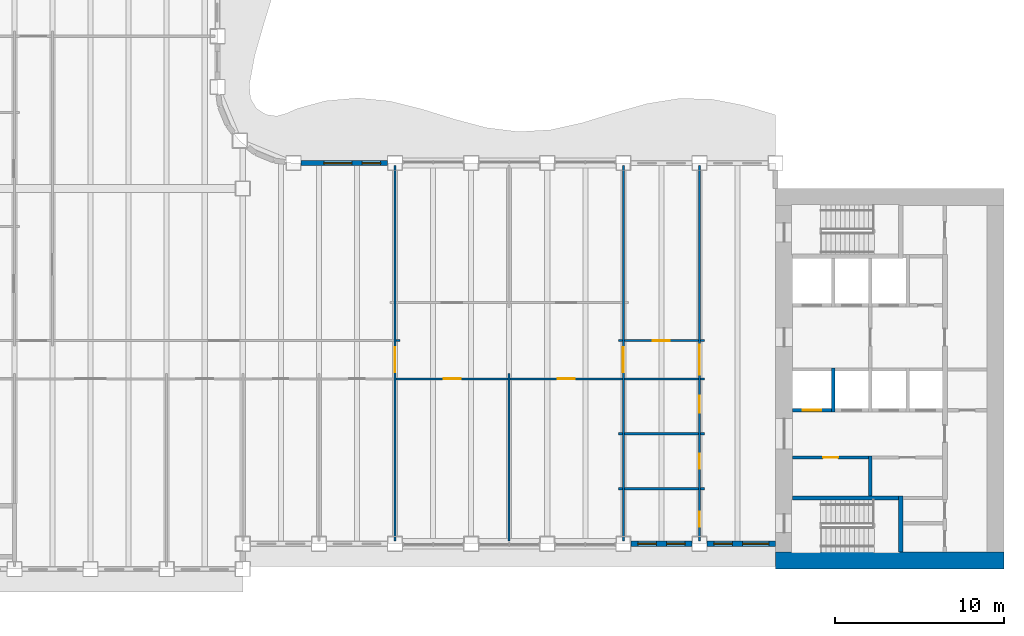
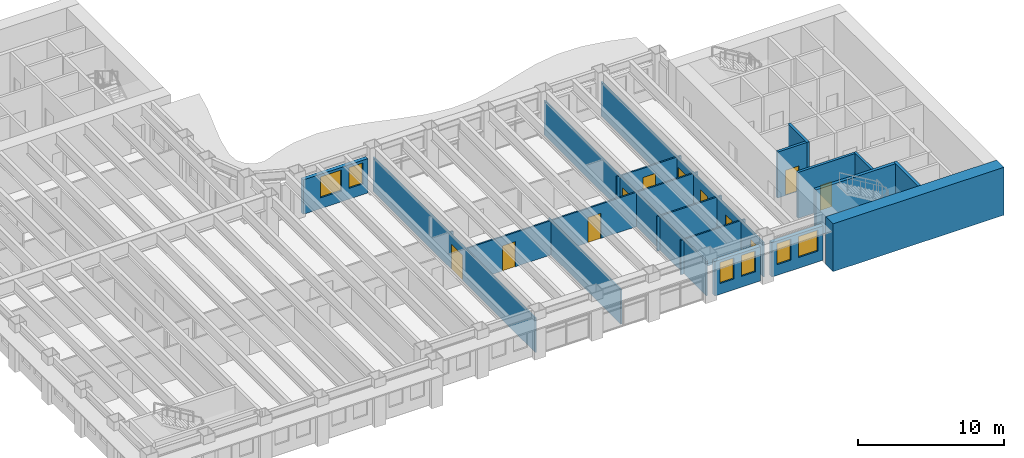
# One storey, part 7 of 17: 28 walls, 11 doors, 6 windows, 17 openings.
"""IFC4 building model written with IfcOpenShell, lengths in metres."""

from ifc_helpers import new_model, si_unit, direction, frame, frame_2d, origin, place, context, subcontext, project, spatial, rectangle, extrude, material, layer, layer_set, type_object, element, fill, save


model = new_model("IFC4")

# Units and contexts
model_context = context("Model", 3, precision=1e-05, world=origin(), true_north=direction((0.0, 1.0)))
body_context = subcontext(model_context, "Body", "Model", "MODEL_VIEW")
ifc_project = project(units=[si_unit("LENGTHUNIT", "METRE"), si_unit("AREAUNIT", "SQUARE_METRE"), si_unit("VOLUMEUNIT", "CUBIC_METRE"), si_unit("PLANEANGLEUNIT", "RADIAN"), si_unit("MASSUNIT", "GRAM", prefix="KILO")], contexts=[model_context])

# Site, building, storey
site_placement = place(None, origin())
site = spatial("IfcSite", under=ifc_project, at=site_placement, CompositionType="ELEMENT")
building_placement = place(site_placement, origin())
building = spatial("IfcBuilding", under=site, at=building_placement, Name="Sennacour Bend Tower", CompositionType="ELEMENT")
storey_placement = place(building_placement, frame((0.0, 0.0, 155.0)))
storey = spatial("IfcBuildingStorey", under=building, at=storey_placement, Name="L35", CompositionType="ELEMENT", Elevation=155.0)

# Walls
ifc_material_1 = material(Name="Concrete C60/75", Category="concrete")
ifc_layer_1 = layer(ifc_material_1, 1.0, Name="Concrete C60/75", Category="concrete")
ifc_layer_set_1 = layer_set([ifc_layer_1], Name="Concrete C60/75")
wall_type_1 = type_object("IfcWallType", Name="Core wall 1000 C60/75", PredefinedType="SHEAR", material=ifc_layer_set_1)
wall_1_placement = place(storey_placement, frame((67.5, 0.5, -0.14990234375), z_axis=(0.0, 0.0, 1.0), x_axis=(-1.0, 0.0, 0.0)))
element("IfcWall", 1, at=wall_1_placement, inside=storey, type_object=wall_type_1, Name="Core A wall L35 S", PredefinedType="SHEAR", context=body_context, shape_type="SweptSolid", body=[
    extrude(rectangle(XDim=13.5, YDim=1.0, at=frame_2d((6.75, 0.0))), origin(), (0.0, 0.0, 1.0), 4.0),
])
ifc_material_2 = material(Name="Plasterboard partition on steel studs", Category="steel")
ifc_layer_2 = layer(ifc_material_2, 0.1201171875, Name="Plasterboard partition on steel studs", Category="steel")
ifc_layer_set_2 = layer_set([ifc_layer_2], Name="Plasterboard partition on steel studs")
wall_type_2 = type_object("IfcWallType", Name="Partition 120", PredefinedType="PARTITIONING", material=ifc_layer_set_2)
wall_2_placement = place(storey_placement, frame((38.25, 1.64990234375, 0.0), z_axis=(0.0, 0.0, 1.0), x_axis=(0.0, 1.0, 0.0)))
element("IfcWall", 2, at=wall_2_placement, inside=storey, type_object=wall_type_2, Name="P-L35-W029a", PredefinedType="PARTITIONING", context=body_context, shape_type="SweptSolid", body=[
    extrude(rectangle(XDim=9.900146484375, YDim=0.1201171875, at=frame_2d((4.9501953125, 0.0))), origin(), (0.0, 0.0, 1.0), 2.8701171875),
])
wall_3_placement = place(storey_placement, frame((44.699951171875, 4.75, 0.0), z_axis=(0.0, 0.0, 1.0), x_axis=(1.0, 0.0, 0.0)))
element("IfcWall", 3, at=wall_3_placement, inside=storey, type_object=wall_type_2, Name="P-L35-W055aa", PredefinedType="PARTITIONING", context=body_context, shape_type="SweptSolid", body=[
    extrude(rectangle(XDim=0.239990234375, YDim=0.1201171875, at=frame_2d((0.1201171875, 0.0))), origin(), (0.0, 0.0, 1.0), 2.8701171875),
])
wall_4_placement = place(storey_placement, frame((45.06005859375, 4.75, 0.0), z_axis=(0.0, 0.0, 1.0), x_axis=(1.0, 0.0, 0.0)))
element("IfcWall", 4, at=wall_4_placement, inside=storey, type_object=wall_type_2, Name="P-L35-W055ab", PredefinedType="PARTITIONING", context=body_context, shape_type="SweptSolid", body=[
    extrude(rectangle(XDim=4.3798828125, YDim=0.1201171875, at=frame_2d((2.18994140625, 0.0))), origin(), (0.0, 0.0, 1.0), 2.8701171875),
])
for number, where, z_axis, x_axis, name in (
    (5, (49.56005859375, 4.75, 0.0), (0.0, 0.0, 1.0), (1.0, 0.0, 0.0), "P-L35-W055ac"),
    (6, (44.699951171875, 8.0, 0.0), (0.0, 0.0, 1.0), (1.0, 0.0, 0.0), "P-L35-W057aa"),
):
    element("IfcWall", number, at=place(storey_placement, frame(where, z_axis=z_axis, x_axis=x_axis)), inside=storey, type_object=wall_type_2, Name=name, PredefinedType="PARTITIONING", context=body_context, shape_type="SweptSolid", body=[
        extrude(rectangle(XDim=0.239990234375, YDim=0.1201171875, at=frame_2d((0.1201171875, 0.0))), origin(), (0.0, 0.0, 1.0), 2.8701171875),
    ])
wall_5_placement = place(storey_placement, frame((45.06005859375, 8.0, 0.0), z_axis=(0.0, 0.0, 1.0), x_axis=(1.0, 0.0, 0.0)))
element("IfcWall", 7, at=wall_5_placement, inside=storey, type_object=wall_type_2, Name="P-L35-W057ab", PredefinedType="PARTITIONING", context=body_context, shape_type="SweptSolid", body=[
    extrude(rectangle(XDim=4.3798828125, YDim=0.1201171875, at=frame_2d((2.18994140625, 0.0))), origin(), (0.0, 0.0, 1.0), 2.8701171875),
])
wall_6_placement = place(storey_placement, frame((49.56005859375, 8.0, 0.0), z_axis=(0.0, 0.0, 1.0), x_axis=(1.0, 0.0, 0.0)))
element("IfcWall", 8, at=wall_6_placement, inside=storey, type_object=wall_type_2, Name="P-L35-W057ac", PredefinedType="PARTITIONING", context=body_context, shape_type="SweptSolid", body=[
    extrude(rectangle(XDim=0.239990234375, YDim=0.1201171875, at=frame_2d((0.1201171875, 0.0))), origin(), (0.0, 0.0, 1.0), 2.8701171875),
])

# Wall, opening, door
wall_7_placement = place(storey_placement, frame((31.56005859375, 11.25, 0.0), z_axis=(0.0, 0.0, 1.0), x_axis=(1.0, 0.0, 0.0)))
wall_7 = element("IfcWall", 9, at=wall_7_placement, inside=storey, type_object=wall_type_2, Name="P-L35-W060af", PredefinedType="PARTITIONING", context=body_context, shape_type="SweptSolid", body=[
    extrude(rectangle(XDim=6.6298828125, YDim=0.1201171875, at=frame_2d((3.31494140625, 0.0))), origin(), (0.0, 0.0, 1.0), 2.8701171875),
])
opening_1_placement = place(wall_7_placement, frame((2.81494140625, 0.0, 0.0)))
opening_1 = element("IfcOpeningElement", 10, at=opening_1_placement, cuts=wall_7, Name="Opening MD2", PredefinedType="OPENING", context=body_context, shape_type="SweptSolid", body=[
    extrude(rectangle(XDim=1.0, YDim=2.10009765625, at=frame_2d((0.5, 1.050048828125))), frame((0.0, 0.070068359375, 0.0), z_axis=(0.0, -1.0, 0.0), x_axis=(1.0, 0.0, 0.0)), (0.0, 0.0, 1.0), 0.14013671875),
])
ifc_material_3 = material(Name="Timber", Category="wood")
door_type_1 = type_object("IfcDoorType", Name="DR-MEETING-1000", OperationType="NOTDEFINED", PredefinedType="DOOR", material=ifc_material_3)
door_1_placement = place(opening_1_placement, origin())
door_1 = element("IfcDoor", 11, at=door_1_placement, inside=storey, type_object=door_type_1, Name="Door", OperationType="SINGLE_SWING_LEFT", OverallHeight=2.10009765625, OverallWidth=1.0, PredefinedType="DOOR", context=body_context, shape_type="SweptSolid", body=[
    extrude(rectangle(XDim=1.0, YDim=2.10009765625, at=frame_2d((0.5, 1.050048828125))), frame((0.0, 0.02490234375, 0.0), z_axis=(0.0, -1.0, 0.0), x_axis=(1.0, 0.0, 0.0)), (0.0, 0.0, 1.0), 0.050048828125),
])
fill(opening_1, door_1)

wall_8_placement = place(storey_placement, frame((38.31005859375, 11.25, 0.0), z_axis=(0.0, 0.0, 1.0), x_axis=(1.0, 0.0, 0.0)))
wall_8 = element("IfcWall", 12, at=wall_8_placement, inside=storey, type_object=wall_type_2, Name="P-L35-W060ag", PredefinedType="PARTITIONING", context=body_context, shape_type="SweptSolid", body=[
    extrude(rectangle(XDim=6.6298828125, YDim=0.1201171875, at=frame_2d((3.31494140625, 0.0))), origin(), (0.0, 0.0, 1.0), 2.8701171875),
])
opening_2_placement = place(wall_8_placement, frame((2.81494140625, 0.0, 0.0)))
opening_2 = element("IfcOpeningElement", 13, at=opening_2_placement, cuts=wall_8, Name="Opening MD2", PredefinedType="OPENING", context=body_context, shape_type="SweptSolid", body=[
    extrude(rectangle(XDim=1.0, YDim=2.10009765625, at=frame_2d((0.5, 1.050048828125))), frame((0.0, 0.070068359375, 0.0), z_axis=(0.0, -1.0, 0.0), x_axis=(1.0, 0.0, 0.0)), (0.0, 0.0, 1.0), 0.14013671875),
])
door_2_placement = place(opening_2_placement, origin())
door_2 = element("IfcDoor", 14, at=door_2_placement, inside=storey, type_object=door_type_1, Name="Door", OperationType="SINGLE_SWING_LEFT", OverallHeight=2.10009765625, OverallWidth=1.0, PredefinedType="DOOR", context=body_context, shape_type="SweptSolid", body=[
    extrude(rectangle(XDim=1.0, YDim=2.10009765625, at=frame_2d((0.5, 1.050048828125))), frame((0.0, 0.02490234375, 0.0), z_axis=(0.0, -1.0, 0.0), x_axis=(1.0, 0.0, 0.0)), (0.0, 0.0, 1.0), 0.050048828125),
])
fill(opening_2, door_2)

# Walls
wall_9_placement = place(storey_placement, frame((45.06005859375, 11.25, 0.0), z_axis=(0.0, 0.0, 1.0), x_axis=(1.0, 0.0, 0.0)))
element("IfcWall", 15, at=wall_9_placement, inside=storey, type_object=wall_type_2, Name="P-L35-W060ah", PredefinedType="PARTITIONING", context=body_context, shape_type="SweptSolid", body=[
    extrude(rectangle(XDim=4.3798828125, YDim=0.1201171875, at=frame_2d((2.18994140625, 0.0))), origin(), (0.0, 0.0, 1.0), 2.8701171875),
])
for number, where, z_axis, x_axis, name in (
    (16, (49.56005859375, 11.25, 0.0), (0.0, 0.0, 1.0), (1.0, 0.0, 0.0), "P-L35-W060ai"),
    (17, (31.56005859375, 13.5, 0.0), (0.0, 0.0, 1.0), (1.0, 0.0, 0.0), "P-L35-W063ad"),
    (18, (44.699951171875, 13.5, 0.0), (0.0, 0.0, 1.0), (1.0, 0.0, 0.0), "P-L35-W064aa"),
):
    element("IfcWall", number, at=place(storey_placement, frame(where, z_axis=z_axis, x_axis=x_axis)), inside=storey, type_object=wall_type_2, Name=name, PredefinedType="PARTITIONING", context=body_context, shape_type="SweptSolid", body=[
        extrude(rectangle(XDim=0.239990234375, YDim=0.1201171875, at=frame_2d((0.1201171875, 0.0))), origin(), (0.0, 0.0, 1.0), 2.8701171875),
    ])

# Wall, opening, door
wall_10_placement = place(storey_placement, frame((45.06005859375, 13.5, 0.0), z_axis=(0.0, 0.0, 1.0), x_axis=(1.0, 0.0, 0.0)))
wall_10 = element("IfcWall", 19, at=wall_10_placement, inside=storey, type_object=wall_type_2, Name="P-L35-W064ab", PredefinedType="PARTITIONING", context=body_context, shape_type="SweptSolid", body=[
    extrude(rectangle(XDim=4.3798828125, YDim=0.1201171875, at=frame_2d((2.18994140625, 0.0))), origin(), (0.0, 0.0, 1.0), 2.8701171875),
])
opening_3_placement = place(wall_10_placement, frame((1.68994140625, 0.0, 0.0)))
opening_3 = element("IfcOpeningElement", 20, at=opening_3_placement, cuts=wall_10, Name="Opening OD2", PredefinedType="OPENING", context=body_context, shape_type="SweptSolid", body=[
    extrude(rectangle(XDim=1.0, YDim=2.10009765625, at=frame_2d((0.5, 1.050048828125))), frame((0.0, 0.070068359375, 0.0), z_axis=(0.0, -1.0, 0.0), x_axis=(1.0, 0.0, 0.0)), (0.0, 0.0, 1.0), 0.14013671875),
])
door_type_2 = type_object("IfcDoorType", Name="DR-OFFICE-1000", OperationType="NOTDEFINED", PredefinedType="DOOR", material=ifc_material_3)
door_3_placement = place(opening_3_placement, origin())
door_3 = element("IfcDoor", 21, at=door_3_placement, inside=storey, type_object=door_type_2, Name="Door", OperationType="SINGLE_SWING_LEFT", OverallHeight=2.10009765625, OverallWidth=1.0, PredefinedType="DOOR", context=body_context, shape_type="SweptSolid", body=[
    extrude(rectangle(XDim=1.0, YDim=2.10009765625, at=frame_2d((0.5, 1.050048828125))), frame((0.0, 0.02490234375, 0.0), z_axis=(0.0, -1.0, 0.0), x_axis=(1.0, 0.0, 0.0)), (0.0, 0.0, 1.0), 0.050048828125),
])
fill(opening_3, door_3)

# Wall
wall_11_placement = place(storey_placement, frame((49.56005859375, 13.5, 0.0), z_axis=(0.0, 0.0, 1.0), x_axis=(1.0, 0.0, 0.0)))
element("IfcWall", 22, at=wall_11_placement, inside=storey, type_object=wall_type_2, Name="P-L35-W064ac", PredefinedType="PARTITIONING", context=body_context, shape_type="SweptSolid", body=[
    extrude(rectangle(XDim=0.239990234375, YDim=0.1201171875, at=frame_2d((0.1201171875, 0.0))), origin(), (0.0, 0.0, 1.0), 2.8701171875),
])

# Wall, opening, door
ifc_layer_3 = layer(ifc_material_2, 0.1201171875, Name="Plasterboard partition on steel studs", Category="steel")
ifc_layer_set_3 = layer_set([ifc_layer_3], Name="Plasterboard partition on steel studs")
wall_type_3 = type_object("IfcWallType", Name="Partition 120 EI 30", PredefinedType="PARTITIONING", material=ifc_layer_set_3)
wall_12_placement = place(storey_placement, frame((31.5, 1.64990234375, 0.0), z_axis=(0.0, 0.0, 1.0), x_axis=(0.0, 1.0, 0.0)))
wall_12 = element("IfcWall", 23, at=wall_12_placement, inside=storey, type_object=wall_type_3, Name="P-L35-W028a", PredefinedType="PARTITIONING", context=body_context, shape_type="SweptSolid", body=[
    extrude(rectangle(XDim=22.2001953125, YDim=0.1201171875, at=frame_2d((11.10009765625, 0.0))), origin(), (0.0, 0.0, 1.0), 2.8701171875),
])
opening_4_placement = place(wall_12_placement, frame((9.97509765625, 0.0, 0.0)))
opening_4 = element("IfcOpeningElement", 24, at=opening_4_placement, cuts=wall_12, Name="Opening KD", PredefinedType="OPENING", context=body_context, shape_type="SweptSolid", body=[
    extrude(rectangle(XDim=1.5, YDim=2.10009765625, at=frame_2d((0.75, 1.050048828125))), frame((0.0, 0.070068359375, 0.0), z_axis=(0.0, -1.0, 0.0), x_axis=(1.0, 0.0, 0.0)), (0.0, 0.0, 1.0), 0.14013671875),
])
ifc_material_4 = material(Name="Painted steel", Category="steel")
door_type_3 = type_object("IfcDoorType", Name="DR-CORRIDOR-1500", OperationType="NOTDEFINED", PredefinedType="DOOR", material=ifc_material_4)
door_4_placement = place(opening_4_placement, origin())
door_4 = element("IfcDoor", 25, at=door_4_placement, inside=storey, type_object=door_type_3, Name="Door", OperationType="SINGLE_SWING_LEFT", OverallHeight=2.10009765625, OverallWidth=1.5, PredefinedType="DOOR", context=body_context, shape_type="SweptSolid", body=[
    extrude(rectangle(XDim=1.5, YDim=2.10009765625, at=frame_2d((0.75, 1.050048828125))), frame((0.0, 0.02490234375, 0.0), z_axis=(0.0, -1.0, 0.0), x_axis=(1.0, 0.0, 0.0)), (0.0, 0.0, 1.0), 0.050048828125),
])
fill(opening_4, door_4)

wall_13_placement = place(storey_placement, frame((45.0, 1.64990234375, 0.0), z_axis=(0.0, 0.0, 1.0), x_axis=(0.0, 1.0, 0.0)))
wall_13 = element("IfcWall", 26, at=wall_13_placement, inside=storey, type_object=wall_type_3, Name="P-L35-W031a", PredefinedType="PARTITIONING", context=body_context, shape_type="SweptSolid", body=[
    extrude(rectangle(XDim=22.2001953125, YDim=0.1201171875, at=frame_2d((11.10009765625, 0.0))), origin(), (0.0, 0.0, 1.0), 2.8701171875),
])
opening_5_placement = place(wall_13_placement, frame((9.97509765625, 0.0, 0.0)))
opening_5 = element("IfcOpeningElement", 27, at=opening_5_placement, cuts=wall_13, Name="Opening KD", PredefinedType="OPENING", context=body_context, shape_type="SweptSolid", body=[
    extrude(rectangle(XDim=1.5, YDim=2.10009765625, at=frame_2d((0.75, 1.050048828125))), frame((0.0, 0.070068359375, 0.0), z_axis=(0.0, -1.0, 0.0), x_axis=(1.0, 0.0, 0.0)), (0.0, 0.0, 1.0), 0.14013671875),
])
door_5_placement = place(opening_5_placement, origin())
door_5 = element("IfcDoor", 28, at=door_5_placement, inside=storey, type_object=door_type_3, Name="Door", OperationType="SINGLE_SWING_LEFT", OverallHeight=2.10009765625, OverallWidth=1.5, PredefinedType="DOOR", context=body_context, shape_type="SweptSolid", body=[
    extrude(rectangle(XDim=1.5, YDim=2.10009765625, at=frame_2d((0.75, 1.050048828125))), frame((0.0, 0.02490234375, 0.0), z_axis=(0.0, -1.0, 0.0), x_axis=(1.0, 0.0, 0.0)), (0.0, 0.0, 1.0), 0.050048828125),
])
fill(opening_5, door_5)

# Wall, openings, doors
wall_14_placement = place(storey_placement, frame((49.5, 1.64990234375, 0.0), z_axis=(0.0, 0.0, 1.0), x_axis=(0.0, 1.0, 0.0)))
wall_14 = element("IfcWall", 29, at=wall_14_placement, inside=storey, type_object=wall_type_3, Name="P-L35-W032a", PredefinedType="PARTITIONING", context=body_context, shape_type="SweptSolid", body=[
    extrude(rectangle(XDim=22.2001953125, YDim=0.1201171875, at=frame_2d((11.10009765625, 0.0))), origin(), (0.0, 0.0, 1.0), 2.8701171875),
])
opening_6_placement = place(wall_14_placement, frame((9.8251953125, 0.0, 0.0)))
opening_6 = element("IfcOpeningElement", 30, at=opening_6_placement, cuts=wall_14, Name="Opening KD3", PredefinedType="OPENING", context=body_context, shape_type="SweptSolid", body=[
    extrude(rectangle(XDim=1.800048828125, YDim=2.10009765625, at=frame_2d((0.89990234375, 1.050048828125))), frame((0.0, 0.070068359375, 0.0), z_axis=(0.0, -1.0, 0.0), x_axis=(1.0, 0.0, 0.0)), (0.0, 0.0, 1.0), 0.14013671875),
])
opening_7_placement = place(wall_14_placement, frame((0.85009765625, 0.0, 0.0)))
opening_7 = element("IfcOpeningElement", 31, at=opening_7_placement, cuts=wall_14, Name="Opening WD", PredefinedType="OPENING", context=body_context, shape_type="SweptSolid", body=[
    extrude(rectangle(XDim=0.89990234375, YDim=2.10009765625, at=frame_2d((0.449951171875, 1.050048828125))), frame((0.0, 0.070068359375, 0.0), z_axis=(0.0, -1.0, 0.0), x_axis=(1.0, 0.0, 0.0)), (0.0, 0.0, 1.0), 0.14013671875),
])
opening_8_placement = place(wall_14_placement, frame((4.275146484375, 0.0, 0.0)))
opening_8 = element("IfcOpeningElement", 32, at=opening_8_placement, cuts=wall_14, Name="Opening WD", PredefinedType="OPENING", context=body_context, shape_type="SweptSolid", body=[
    extrude(rectangle(XDim=0.89990234375, YDim=2.10009765625, at=frame_2d((0.449951171875, 1.050048828125))), frame((0.0, 0.070068359375, 0.0), z_axis=(0.0, -1.0, 0.0), x_axis=(1.0, 0.0, 0.0)), (0.0, 0.0, 1.0), 0.14013671875),
])
opening_9_placement = place(wall_14_placement, frame((7.60009765625, 0.0, 0.0)))
opening_9 = element("IfcOpeningElement", 33, at=opening_9_placement, cuts=wall_14, Name="Opening AD", PredefinedType="OPENING", context=body_context, shape_type="SweptSolid", body=[
    extrude(rectangle(XDim=1.0, YDim=2.10009765625, at=frame_2d((0.5, 1.050048828125))), frame((0.0, 0.070068359375, 0.0), z_axis=(0.0, -1.0, 0.0), x_axis=(1.0, 0.0, 0.0)), (0.0, 0.0, 1.0), 0.14013671875),
])
door_type_4 = type_object("IfcDoorType", Name="DR-ACC-WC-1000", OperationType="NOTDEFINED", PredefinedType="DOOR", material=ifc_material_3)
door_6_placement = place(opening_9_placement, origin())
door_6 = element("IfcDoor", 34, at=door_6_placement, inside=storey, type_object=door_type_4, Name="Door", OperationType="SINGLE_SWING_LEFT", OverallHeight=2.10009765625, OverallWidth=1.0, PredefinedType="DOOR", context=body_context, shape_type="SweptSolid", body=[
    extrude(rectangle(XDim=1.0, YDim=2.10009765625, at=frame_2d((0.5, 1.050048828125))), frame((0.0, 0.02490234375, 0.0), z_axis=(0.0, -1.0, 0.0), x_axis=(1.0, 0.0, 0.0)), (0.0, 0.0, 1.0), 0.050048828125),
])
fill(opening_9, door_6)
door_type_5 = type_object("IfcDoorType", Name="DR-CORRIDOR-1800", OperationType="NOTDEFINED", PredefinedType="DOOR", material=ifc_material_4)
door_7_placement = place(opening_6_placement, origin())
door_7 = element("IfcDoor", 35, at=door_7_placement, inside=storey, type_object=door_type_5, Name="Door", OperationType="DOUBLE_DOOR_SINGLE_SWING", OverallHeight=2.10009765625, OverallWidth=1.800048828125, PredefinedType="DOOR", context=body_context, shape_type="SweptSolid", body=[
    extrude(rectangle(XDim=1.800048828125, YDim=2.10009765625, at=frame_2d((0.89990234375, 1.050048828125))), frame((0.0, 0.02490234375, 0.0), z_axis=(0.0, -1.0, 0.0), x_axis=(1.0, 0.0, 0.0)), (0.0, 0.0, 1.0), 0.050048828125),
])
fill(opening_6, door_7)
door_type_6 = type_object("IfcDoorType", Name="DR-WC-900", OperationType="NOTDEFINED", PredefinedType="DOOR", material=ifc_material_3)
door_8_placement = place(opening_7_placement, origin())
door_8 = element("IfcDoor", 36, at=door_8_placement, inside=storey, type_object=door_type_6, Name="Door", OperationType="SINGLE_SWING_LEFT", OverallHeight=2.10009765625, OverallWidth=0.89990234375, PredefinedType="DOOR", context=body_context, shape_type="SweptSolid", body=[
    extrude(rectangle(XDim=0.89990234375, YDim=2.10009765625, at=frame_2d((0.449951171875, 1.050048828125))), frame((0.0, 0.02490234375, 0.0), z_axis=(0.0, -1.0, 0.0), x_axis=(1.0, 0.0, 0.0)), (0.0, 0.0, 1.0), 0.050048828125),
])
fill(opening_7, door_8)
door_9_placement = place(opening_8_placement, origin())
door_9 = element("IfcDoor", 37, at=door_9_placement, inside=storey, type_object=door_type_6, Name="Door", OperationType="SINGLE_SWING_LEFT", OverallHeight=2.10009765625, OverallWidth=0.89990234375, PredefinedType="DOOR", context=body_context, shape_type="SweptSolid", body=[
    extrude(rectangle(XDim=0.89990234375, YDim=2.10009765625, at=frame_2d((0.449951171875, 1.050048828125))), frame((0.0, 0.02490234375, 0.0), z_axis=(0.0, -1.0, 0.0), x_axis=(1.0, 0.0, 0.0)), (0.0, 0.0, 1.0), 0.050048828125),
])
fill(opening_8, door_9)

# Wall
ifc_material_5 = material(Name="Fire-rated plasterboard partition on steel studs", Category="steel")
ifc_layer_4 = layer(ifc_material_5, 0.199951171875, Name="Fire-rated plasterboard partition on steel studs", Category="steel")
ifc_layer_set_4 = layer_set([ifc_layer_4], Name="Fire-rated plasterboard partition on steel studs")
wall_type_4 = type_object("IfcWallType", Name="Rated partition 200", PredefinedType="PARTITIONING", material=ifc_layer_set_4)
wall_15_placement = place(storey_placement, frame((59.60009765625, 4.324951171875, 0.0), z_axis=(0.0, 0.0, 1.0), x_axis=(0.0, 1.0, 0.0)))
element("IfcWall", 38, at=wall_15_placement, inside=storey, type_object=wall_type_4, Name="P-L35-W036", PredefinedType="PARTITIONING", context=body_context, shape_type="SweptSolid", body=[
    extrude(rectangle(XDim=2.375, YDim=0.199951171875, at=frame_2d((1.1875, 0.0))), origin(), (0.0, 0.0, 1.0), 3.85009765625),
])

# Wall, opening, door
wall_16_placement = place(storey_placement, frame((55.0, 6.60009765625, 0.0), z_axis=(0.0, 0.0, 1.0), x_axis=(1.0, 0.0, 0.0)))
wall_16 = element("IfcWall", 39, at=wall_16_placement, inside=storey, type_object=wall_type_4, Name="P-L35-W056a", PredefinedType="PARTITIONING", context=body_context, shape_type="SweptSolid", body=[
    extrude(rectangle(XDim=4.5, YDim=0.199951171875, at=frame_2d((2.25, 0.0))), origin(), (0.0, 0.0, 1.0), 3.85009765625),
])
opening_10_placement = place(wall_16_placement, frame((1.800048828125, 0.0, 0.0)))
opening_10 = element("IfcOpeningElement", 40, at=opening_10_placement, cuts=wall_16, Name="Opening SV", PredefinedType="OPENING", context=body_context, shape_type="SweptSolid", body=[
    extrude(rectangle(XDim=0.89990234375, YDim=2.10009765625, at=frame_2d((0.449951171875, 1.050048828125))), frame((0.0, 0.10986328125, 0.0), z_axis=(0.0, -1.0, 0.0), x_axis=(1.0, 0.0, 0.0)), (0.0, 0.0, 1.0), 0.219970703125),
])
door_type_7 = type_object("IfcDoorType", Name="DR-SERVICE-900", OperationType="NOTDEFINED", PredefinedType="DOOR", material=ifc_material_4)
door_10_placement = place(opening_10_placement, origin())
door_10 = element("IfcDoor", 41, at=door_10_placement, inside=storey, type_object=door_type_7, Name="Door", OperationType="SINGLE_SWING_LEFT", OverallHeight=2.10009765625, OverallWidth=0.89990234375, PredefinedType="DOOR", context=body_context, shape_type="SweptSolid", body=[
    extrude(rectangle(XDim=0.89990234375, YDim=2.10009765625, at=frame_2d((0.449951171875, 1.050048828125))), frame((0.0, 0.02490234375, 0.0), z_axis=(0.0, -1.0, 0.0), x_axis=(1.0, 0.0, 0.0)), (0.0, 0.0, 1.0), 0.050048828125),
])
fill(opening_10, door_10)

# Wall, openings, windows
ifc_material_6 = material(Name="Warm limestone cladding", Category="masonry")
ifc_layer_5 = layer(ifc_material_6, 0.050048828125, Name="Warm limestone cladding", Category="masonry")
ifc_material_7 = material(Name="Precast concrete C40/50", Category="concrete")
ifc_layer_6 = layer(ifc_material_7, 0.25, Name="Precast concrete C40/50", Category="concrete")
ifc_layer_set_5 = layer_set([ifc_layer_5, ifc_layer_6], Name="Precast concrete C40/50 with limestone cladding")
wall_type_5 = type_object("IfcWallType", Name="STONE-CLAD PRECAST SPANDREL 300", PredefinedType="STANDARD", material=ifc_layer_set_5)
wall_17_placement = place(storey_placement, frame((45.449951171875, 1.5, 0.0), z_axis=(0.0, 0.0, 1.0), x_axis=(1.0, 0.0, 0.0)))
wall_17 = element("IfcWall", 42, at=wall_17_placement, inside=storey, type_object=wall_type_5, Name="Stone spandrel and pier wall L35 02.05", PredefinedType="STANDARD", context=body_context, shape_type="SweptSolid", body=[
    extrude(rectangle(XDim=3.60009765625, YDim=0.300048828125, at=frame_2d((1.800048828125, 0.0))), origin(), (0.0, 0.0, 1.0), 2.8701171875),
])
opening_11_placement = place(wall_17_placement, frame((0.39990234375, 0.0, 0.89990234375)))
opening_11 = element("IfcOpeningElement", 43, at=opening_11_placement, cuts=wall_17, Name="Opening W17", PredefinedType="OPENING", context=body_context, shape_type="SweptSolid", body=[
    extrude(rectangle(XDim=1.10009765625, YDim=1.75, at=frame_2d((0.550048828125, 0.875))), frame((0.0, 0.16015625, 0.0), z_axis=(0.0, -1.0, 0.0), x_axis=(1.0, 0.0, 0.0)), (0.0, 0.0, 1.0), 0.320068359375),
])
opening_12_placement = place(wall_17_placement, frame((2.10009765625, 0.0, 0.89990234375)))
opening_12 = element("IfcOpeningElement", 44, at=opening_12_placement, cuts=wall_17, Name="Opening W17", PredefinedType="OPENING", context=body_context, shape_type="SweptSolid", body=[
    extrude(rectangle(XDim=1.10009765625, YDim=1.75, at=frame_2d((0.550048828125, 0.875))), frame((0.0, 0.16015625, 0.0), z_axis=(0.0, -1.0, 0.0), x_axis=(1.0, 0.0, 0.0)), (0.0, 0.0, 1.0), 0.320068359375),
])
ifc_material_8 = material(Name="Clear low-emissivity glass", Category="glass")
window_type_1 = type_object("IfcWindowType", Name="WIN-RIBBON-1100x1750", PartitioningType="SINGLE_PANEL", PredefinedType="WINDOW", material=ifc_material_8)
window_1_placement = place(opening_11_placement, origin())
window_1 = element("IfcWindow", 45, at=window_1_placement, inside=storey, type_object=window_type_1, Name="Ribbon window L35 02.05.0", OverallHeight=1.75, OverallWidth=1.10009765625, PartitioningType="SINGLE_PANEL", PredefinedType="WINDOW", context=body_context, shape_type="SweptSolid", body=[
    extrude(rectangle(XDim=1.10009765625, YDim=1.75, at=frame_2d((0.550048828125, 0.875))), frame((0.0, 0.030029296875, 0.0), z_axis=(0.0, -1.0, 0.0), x_axis=(1.0, 0.0, 0.0)), (0.0, 0.0, 1.0), 0.06005859375),
])
fill(opening_11, window_1)
window_2_placement = place(opening_12_placement, origin())
window_2 = element("IfcWindow", 46, at=window_2_placement, inside=storey, type_object=window_type_1, Name="Ribbon window L35 02.05.1", OverallHeight=1.75, OverallWidth=1.10009765625, PartitioningType="SINGLE_PANEL", PredefinedType="WINDOW", context=body_context, shape_type="SweptSolid", body=[
    extrude(rectangle(XDim=1.10009765625, YDim=1.75, at=frame_2d((0.550048828125, 0.875))), frame((0.0, 0.030029296875, 0.0), z_axis=(0.0, -1.0, 0.0), x_axis=(1.0, 0.0, 0.0)), (0.0, 0.0, 1.0), 0.06005859375),
])
fill(opening_12, window_2)

wall_18_placement = place(storey_placement, frame((49.949951171875, 1.5, 0.0), z_axis=(0.0, 0.0, 1.0), x_axis=(1.0, 0.0, 0.0)))
wall_18 = element("IfcWall", 47, at=wall_18_placement, inside=storey, type_object=wall_type_5, Name="Stone spandrel and pier wall L35 02.06", PredefinedType="STANDARD", context=body_context, shape_type="SweptSolid", body=[
    extrude(rectangle(XDim=4.050048828125, YDim=0.300048828125, at=frame_2d((2.02490234375, 0.0))), origin(), (0.0, 0.0, 1.0), 2.8701171875),
])
opening_13_placement = place(wall_18_placement, frame((0.39990234375, 0.0, 0.89990234375)))
opening_13 = element("IfcOpeningElement", 48, at=opening_13_placement, cuts=wall_18, Name="Opening W17", PredefinedType="OPENING", context=body_context, shape_type="SweptSolid", body=[
    extrude(rectangle(XDim=1.10009765625, YDim=1.75, at=frame_2d((0.550048828125, 0.875))), frame((0.0, 0.16015625, 0.0), z_axis=(0.0, -1.0, 0.0), x_axis=(1.0, 0.0, 0.0)), (0.0, 0.0, 1.0), 0.320068359375),
])
opening_14_placement = place(wall_18_placement, frame((2.10009765625, 0.0, 0.89990234375)))
opening_14 = element("IfcOpeningElement", 49, at=opening_14_placement, cuts=wall_18, Name="Opening W12", PredefinedType="OPENING", context=body_context, shape_type="SweptSolid", body=[
    extrude(rectangle(XDim=1.550048828125, YDim=1.75, at=frame_2d((0.77490234375, 0.875))), frame((0.0, 0.16015625, 0.0), z_axis=(0.0, -1.0, 0.0), x_axis=(1.0, 0.0, 0.0)), (0.0, 0.0, 1.0), 0.320068359375),
])
window_3_placement = place(opening_13_placement, origin())
window_3 = element("IfcWindow", 50, at=window_3_placement, inside=storey, type_object=window_type_1, Name="Ribbon window L35 02.06.0", OverallHeight=1.75, OverallWidth=1.10009765625, PartitioningType="SINGLE_PANEL", PredefinedType="WINDOW", context=body_context, shape_type="SweptSolid", body=[
    extrude(rectangle(XDim=1.10009765625, YDim=1.75, at=frame_2d((0.550048828125, 0.875))), frame((0.0, 0.030029296875, 0.0), z_axis=(0.0, -1.0, 0.0), x_axis=(1.0, 0.0, 0.0)), (0.0, 0.0, 1.0), 0.06005859375),
])
fill(opening_13, window_3)
window_type_2 = type_object("IfcWindowType", Name="WIN-RIBBON-1550x1750", PartitioningType="SINGLE_PANEL", PredefinedType="WINDOW", material=ifc_material_8)
window_4_placement = place(opening_14_placement, origin())
window_4 = element("IfcWindow", 51, at=window_4_placement, inside=storey, type_object=window_type_2, Name="Ribbon window L35 02.06.1", OverallHeight=1.75, OverallWidth=1.550048828125, PartitioningType="SINGLE_PANEL", PredefinedType="WINDOW", context=body_context, shape_type="SweptSolid", body=[
    extrude(rectangle(XDim=1.550048828125, YDim=1.75, at=frame_2d((0.77490234375, 0.875))), frame((0.0, 0.030029296875, 0.0), z_axis=(0.0, -1.0, 0.0), x_axis=(1.0, 0.0, 0.0)), (0.0, 0.0, 1.0), 0.06005859375),
])
fill(opening_14, window_4)

wall_19_placement = place(storey_placement, frame((31.050048828125, 24.0, 0.0), z_axis=(0.0, 0.0, 1.0), x_axis=(-1.0, 0.0, 0.0)))
wall_19 = element("IfcWall", 52, at=wall_19_placement, inside=storey, type_object=wall_type_5, Name="Stone spandrel and pier wall L35 08.05", PredefinedType="STANDARD", context=body_context, shape_type="SweptSolid", body=[
    extrude(rectangle(XDim=5.10009765625, YDim=0.300048828125, at=frame_2d((2.550048828125, 0.0))), origin(), (0.0, 0.0, 1.0), 2.8701171875),
])
opening_15_placement = place(wall_19_placement, frame((0.39990234375, 0.0, 0.89990234375)))
opening_15 = element("IfcOpeningElement", 53, at=opening_15_placement, cuts=wall_19, Name="Opening W17", PredefinedType="OPENING", context=body_context, shape_type="SweptSolid", body=[
    extrude(rectangle(XDim=1.10009765625, YDim=1.75, at=frame_2d((0.550048828125, 0.875))), frame((0.0, 0.16015625, 0.0), z_axis=(0.0, -1.0, 0.0), x_axis=(1.0, 0.0, 0.0)), (0.0, 0.0, 1.0), 0.320068359375),
])
opening_16_placement = place(wall_19_placement, frame((2.10009765625, 0.0, 0.89990234375)))
opening_16 = element("IfcOpeningElement", 54, at=opening_16_placement, cuts=wall_19, Name="Opening W18", PredefinedType="OPENING", context=body_context, shape_type="SweptSolid", body=[
    extrude(rectangle(XDim=1.64990234375, YDim=1.75, at=frame_2d((0.824951171875, 0.875))), frame((0.0, 0.16015625, 0.0), z_axis=(0.0, -1.0, 0.0), x_axis=(1.0, 0.0, 0.0)), (0.0, 0.0, 1.0), 0.320068359375),
])
window_5_placement = place(opening_15_placement, origin())
window_5 = element("IfcWindow", 55, at=window_5_placement, inside=storey, type_object=window_type_1, Name="Ribbon window L35 08.05.0", OverallHeight=1.75, OverallWidth=1.10009765625, PartitioningType="SINGLE_PANEL", PredefinedType="WINDOW", context=body_context, shape_type="SweptSolid", body=[
    extrude(rectangle(XDim=1.10009765625, YDim=1.75, at=frame_2d((0.550048828125, 0.875))), frame((0.0, 0.030029296875, 0.0), z_axis=(0.0, -1.0, 0.0), x_axis=(1.0, 0.0, 0.0)), (0.0, 0.0, 1.0), 0.06005859375),
])
fill(opening_15, window_5)
window_type_3 = type_object("IfcWindowType", Name="WIN-RIBBON-1650x1750", PartitioningType="SINGLE_PANEL", PredefinedType="WINDOW", material=ifc_material_8)
window_6_placement = place(opening_16_placement, origin())
window_6 = element("IfcWindow", 56, at=window_6_placement, inside=storey, type_object=window_type_3, Name="Ribbon window L35 08.05.1", OverallHeight=1.75, OverallWidth=1.64990234375, PartitioningType="SINGLE_PANEL", PredefinedType="WINDOW", context=body_context, shape_type="SweptSolid", body=[
    extrude(rectangle(XDim=1.64990234375, YDim=1.75, at=frame_2d((0.824951171875, 0.875))), frame((0.0, 0.030029296875, 0.0), z_axis=(0.0, -1.0, 0.0), x_axis=(1.0, 0.0, 0.0)), (0.0, 0.0, 1.0), 0.06005859375),
])
fill(opening_16, window_6)

# Wall
ifc_material_9 = material(Name="Concrete C50/60", Category="concrete")
ifc_layer_7 = layer(ifc_material_9, 0.199951171875, Name="Concrete C50/60", Category="concrete")
ifc_layer_set_6 = layer_set([ifc_layer_7], Name="Concrete C50/60")
wall_type_6 = type_object("IfcWallType", Name="Shaft wall 200", PredefinedType="SOLIDWALL", material=ifc_layer_set_6)
wall_20_placement = place(storey_placement, frame((57.39990234375, 9.300048828125, 0.0), z_axis=(0.0, 0.0, 1.0), x_axis=(0.0, 1.0, 0.0)))
element("IfcWall", 57, at=wall_20_placement, inside=storey, type_object=wall_type_6, Name="P-L35-W034", PredefinedType="SOLIDWALL", context=body_context, shape_type="SweptSolid", body=[
    extrude(rectangle(XDim=2.599853515625, YDim=0.199951171875, at=frame_2d((1.2998046875, 0.0))), origin(), (0.0, 0.0, 1.0), 3.85009765625),
])

# Wall, opening, door
wall_21_placement = place(storey_placement, frame((55.0, 9.39990234375, 0.0), z_axis=(0.0, 0.0, 1.0), x_axis=(1.0, 0.0, 0.0)))
wall_21 = element("IfcWall", 58, at=wall_21_placement, inside=storey, type_object=wall_type_6, Name="P-L35-W058a", PredefinedType="SOLIDWALL", context=body_context, shape_type="SweptSolid", body=[
    extrude(rectangle(XDim=2.300048828125, YDim=0.199951171875, at=frame_2d((1.14990234375, 0.0))), origin(), (0.0, 0.0, 1.0), 3.85009765625),
])
opening_17_placement = place(wall_21_placement, frame((0.60009765625, 0.0, 0.011962890625)))
opening_17 = element("IfcOpeningElement", 59, at=opening_17_placement, cuts=wall_21, Name="Opening LD", PredefinedType="OPENING", context=body_context, shape_type="SweptSolid", body=[
    extrude(rectangle(XDim=1.10009765625, YDim=2.10009765625, at=frame_2d((0.550048828125, 1.050048828125))), frame((0.0, 0.10986328125, 0.0), z_axis=(0.0, -1.0, 0.0), x_axis=(1.0, 0.0, 0.0)), (0.0, 0.0, 1.0), 0.219970703125),
])
ifc_material_10 = material(Name="Stainless steel", Category="steel")
door_type_8 = type_object("IfcDoorType", Name="DR-LANDING-1100", OperationType="NOTDEFINED", PredefinedType="DOOR", material=ifc_material_10)
door_11_placement = place(opening_17_placement, origin())
door_11 = element("IfcDoor", 60, at=door_11_placement, inside=storey, type_object=door_type_8, Name="Lift landing door HA1", OperationType="SLIDING_TO_LEFT", OverallHeight=2.10009765625, OverallWidth=1.10009765625, PredefinedType="DOOR", context=body_context, shape_type="SweptSolid", body=[
    extrude(rectangle(XDim=1.10009765625, YDim=2.10009765625, at=frame_2d((0.550048828125, 1.050048828125))), frame((0.0, 0.02490234375, 0.0), z_axis=(0.0, -1.0, 0.0), x_axis=(1.0, 0.0, 0.0)), (0.0, 0.0, 1.0), 0.050048828125),
])
fill(opening_17, door_11)

# Walls
ifc_layer_8 = layer(ifc_material_1, 0.25, Name="Concrete C60/75", Category="concrete")
ifc_layer_set_7 = layer_set([ifc_layer_8], Name="Concrete C60/75")
wall_type_7 = type_object("IfcWallType", Name="Stair wall 250", PredefinedType="SHEAR", material=ifc_layer_set_7)
wall_22_placement = place(storey_placement, frame((61.39990234375, 1.0, 0.0), z_axis=(0.0, 0.0, 1.0), x_axis=(0.0, 1.0, 0.0)))
element("IfcWall", 61, at=wall_22_placement, inside=storey, type_object=wall_type_7, Name="P-L35-W040", PredefinedType="SHEAR", context=body_context, shape_type="SweptSolid", body=[
    extrude(rectangle(XDim=3.324951171875, YDim=0.25, at=frame_2d((1.66259765625, 0.0))), origin(), (0.0, 0.0, 1.0), 3.85009765625),
])
wall_23_placement = place(storey_placement, frame((55.0, 4.199951171875, 0.0), z_axis=(0.0, 0.0, 1.0), x_axis=(1.0, 0.0, 0.0)))
element("IfcWall", 62, at=wall_23_placement, inside=storey, type_object=wall_type_7, Name="P-L35-W053", PredefinedType="SHEAR", context=body_context, shape_type="SweptSolid", body=[
    extrude(rectangle(XDim=6.27490234375, YDim=0.25, at=frame_2d((3.137451171875, 0.0))), origin(), (0.0, 0.0, 1.0), 3.85009765625),
])

save(model, "model.ifc")
